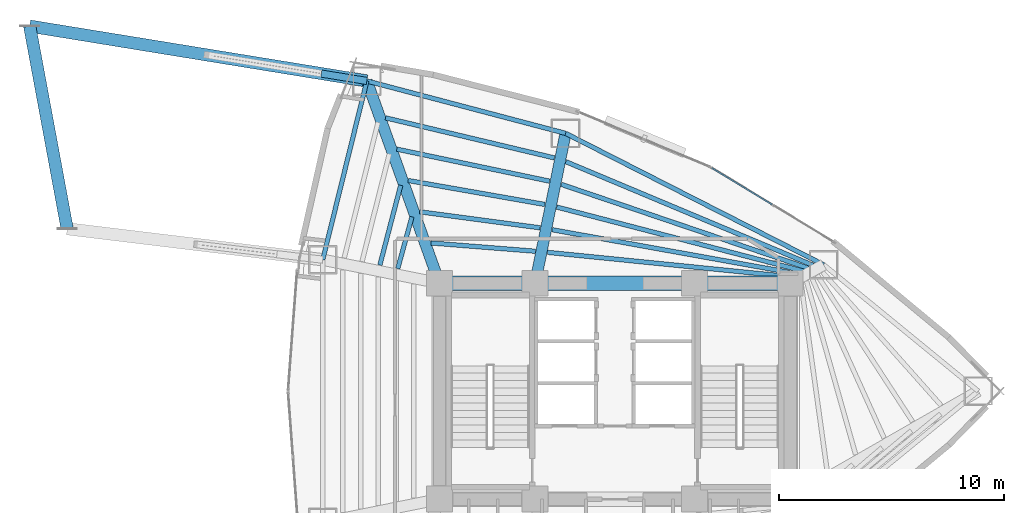
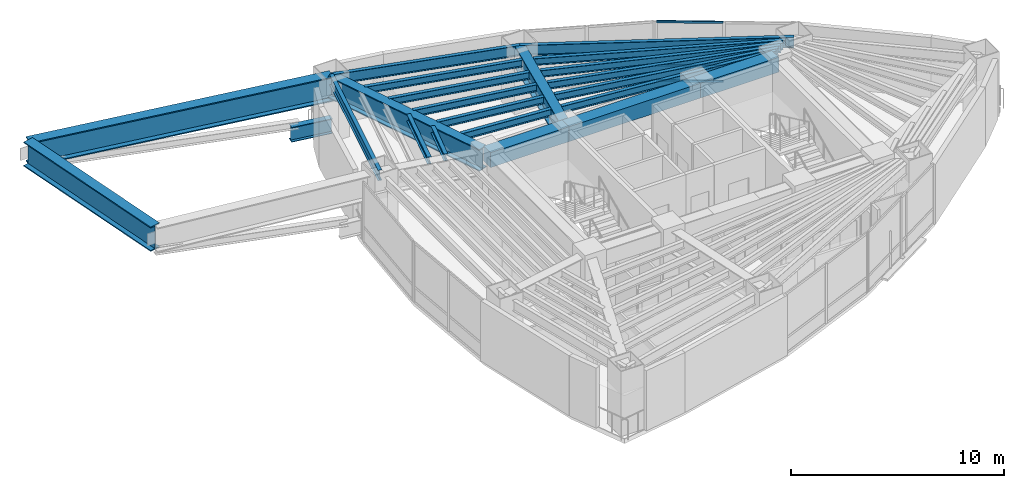
# One storey, part 7 of 17: 23 beams, 3 members, 1 element without a shape of its own.
"""IFC4 building model written with IfcOpenShell, lengths in metres."""

from ifc_helpers import new_model, si_unit, direction, frame, origin, origin_2d, place, context, subcontext, project, spatial, rectangle, hollow_rectangle, i_section, extrude, material, layer, layer_set, material_profile, profile_set, type_object, element, aggregate, save


model = new_model("IFC4")

# Units and contexts
model_context = context("Model", 3, precision=1e-05, world=origin(), true_north=direction((0.0, 1.0)))
body_context = subcontext(model_context, "Body", "Model", "MODEL_VIEW")
ifc_project = project(units=[si_unit("LENGTHUNIT", "METRE"), si_unit("AREAUNIT", "SQUARE_METRE"), si_unit("VOLUMEUNIT", "CUBIC_METRE"), si_unit("PLANEANGLEUNIT", "RADIAN"), si_unit("MASSUNIT", "GRAM", prefix="KILO")], contexts=[model_context])

# Site, building, storey
site_placement = place(None, origin())
site = spatial("IfcSite", under=ifc_project, at=site_placement, CompositionType="ELEMENT")
building_placement = place(site_placement, origin())
building = spatial("IfcBuilding", under=site, at=building_placement, Name="Menara Vayukalpa", CompositionType="ELEMENT")
storey_placement = place(building_placement, frame((0.0, 0.0, 100.260009765625)))
storey = spatial("IfcBuildingStorey", under=building, at=storey_placement, Name="L24", CompositionType="ELEMENT", Elevation=100.260009765625)

# Beams
ifc_material_1 = material(Name="Concrete C60/75", Category="concrete")
ifc_material_profile_1 = material_profile(ifc_material_1, rectangle(XDim=0.64990234375, YDim=0.85009765625, at=origin_2d()), Name="RC 650x850")
ifc_profile_set_1 = profile_set([ifc_material_profile_1], Name="Concrete C60/75")
beam_type_1 = type_object("IfcBeamType", Name="BM-CB1", PredefinedType="BEAM", material=ifc_profile_set_1)
beam_1_placement = place(storey_placement, frame((17.800048828125, 26.800048828125, 3.014892578125), z_axis=(1.0, 0.0, 0.0), x_axis=(0.0, 1.0, 0.0)))
element("IfcBeam", 1, at=beam_1_placement, inside=storey, type_object=beam_type_1, Name="L24 Core Tie Beam CBR4", PredefinedType="BEAM", context=body_context, shape_type="SweptSolid", body=[
    extrude(rectangle(XDim=0.64990234375, YDim=0.85009765625, at=origin_2d()), origin(), (0.0, 0.0, 1.0), 4.25),
])
beam_2_placement = place(storey_placement, frame((22.050048828125, 26.800048828125, 3.014892578125), z_axis=(1.0, 0.0, 0.0), x_axis=(0.0, 1.0, 0.0)))
element("IfcBeam", 2, at=beam_2_placement, inside=storey, type_object=beam_type_1, Name="L24 Core Tie Beam CBR5", PredefinedType="BEAM", context=body_context, shape_type="SweptSolid", body=[
    extrude(rectangle(XDim=0.64990234375, YDim=0.85009765625, at=origin_2d()), origin(), (0.0, 0.0, 1.0), 7.099853515625),
])
beam_3_placement = place(storey_placement, frame((29.14990234375, 26.800048828125, 3.014892578125), z_axis=(1.0, 0.0, 0.0), x_axis=(0.0, 1.0, 0.0)))
element("IfcBeam", 3, at=beam_3_placement, inside=storey, type_object=beam_type_1, Name="L24 Core Tie Beam CBR6", PredefinedType="BEAM", context=body_context, shape_type="SweptSolid", body=[
    extrude(rectangle(XDim=0.64990234375, YDim=0.85009765625, at=origin_2d()), origin(), (0.0, 0.0, 1.0), 4.25),
])
ifc_material_2 = material(Name="Steel S355", Category="steel")
ifc_material_profile_2 = material_profile(ifc_material_2, i_section(OverallWidth=0.320068359375, OverallDepth=0.85009765625, WebThickness=0.01611328125, FlangeThickness=0.030029296875, at=origin_2d()), Name="WF 850x320x16x30")
ifc_profile_set_2 = profile_set([ifc_material_profile_2], Name="Steel S355")
beam_type_2 = type_object("IfcBeamType", Name="BM-PG2E", PredefinedType="BEAM", material=ifc_profile_set_2)
beam_4_placement = place(storey_placement, frame((14.569091796875, 35.79736328125, 0.550048828125), z_axis=(-0.98701122254, 0.160651319885, 0.0), x_axis=(-0.160651319885, -0.98701122254, 0.0)))
element("IfcBeam", 4, at=beam_4_placement, inside=storey, type_object=beam_type_2, Name="L24 SB2 Exterior Outrigger Corbel Bracket 04", PredefinedType="BEAM", context=body_context, shape_type="SweptSolid", body=[
    extrude(i_section(OverallWidth=0.320068359375, OverallDepth=0.85009765625, WebThickness=0.01611328125, FlangeThickness=0.030029296875, at=origin_2d()), origin(), (0.0, 0.0, 1.0), 2.050048828125),
])
ifc_material_3 = material(Name="Steel S355", Category="steel")
ifc_material_profile_3 = material_profile(ifc_material_3, i_section(OverallWidth=0.199951171875, OverallDepth=0.39990234375, WebThickness=0.008056640625, FlangeThickness=0.012939453125, at=origin_2d()), Name="WF 400x200x8x13")
ifc_profile_set_3 = profile_set([ifc_material_profile_3], Name="Steel S355")
beam_type_3 = type_object("IfcBeamType", Name="BM-SJ2", PredefinedType="JOIST", material=ifc_profile_set_3)
beam_5_placement = place(storey_placement, frame((33.578369140625, 27.073974609375, 3.239990234375), z_axis=(-0.995013272717, 0.099742604322, 0.0), x_axis=(-0.099742604322, -0.995013272717, 0.0)))
element("IfcBeam", 5, at=beam_5_placement, inside=storey, type_object=beam_type_3, Name="L24 Secondary Floor Joist SJ02-1", PredefinedType="JOIST", context=body_context, shape_type="SweptSolid", body=[
    extrude(i_section(OverallWidth=0.199951171875, OverallDepth=0.39990234375, WebThickness=0.008056640625, FlangeThickness=0.012939453125, at=origin_2d()), origin(), (0.0, 0.0, 1.0), 11.029296875),
])
beam_6_placement = place(storey_placement, frame((33.7841796875, 27.20703125, 3.239990234375), z_axis=(-0.984204848425, 0.177033376335, 0.0), x_axis=(-0.177033376335, -0.984204848425, 0.0)))
element("IfcBeam", 6, at=beam_6_placement, inside=storey, type_object=beam_type_3, Name="L24 Secondary Floor Joist SJ02-2", PredefinedType="JOIST", context=body_context, shape_type="SweptSolid", body=[
    extrude(i_section(OverallWidth=0.199951171875, OverallDepth=0.39990234375, WebThickness=0.008056640625, FlangeThickness=0.012939453125, at=origin_2d()), origin(), (0.0, 0.0, 1.0), 11.149658203125),
])
beam_7_placement = place(storey_placement, frame((33.991455078125, 27.339111328125, 3.239990234375), z_axis=(-0.967917235079, 0.251269230184, 0.0), x_axis=(-0.251269230184, -0.967917235079, 0.0)))
element("IfcBeam", 7, at=beam_7_placement, inside=storey, type_object=beam_type_3, Name="L24 Secondary Floor Joist SJ02-3", PredefinedType="JOIST", context=body_context, shape_type="SweptSolid", body=[
    extrude(i_section(OverallWidth=0.199951171875, OverallDepth=0.39990234375, WebThickness=0.008056640625, FlangeThickness=0.012939453125, at=origin_2d()), origin(), (0.0, 0.0, 1.0), 11.33984375),
])
beam_8_placement = place(storey_placement, frame((34.199951171875, 27.47021484375, 3.239990234375), z_axis=(-0.946949183942, 0.321383327246, 0.0), x_axis=(-0.321383327246, -0.946949183942, 0.0)))
element("IfcBeam", 8, at=beam_8_placement, inside=storey, type_object=beam_type_3, Name="L24 Secondary Floor Joist SJ02-4", PredefinedType="JOIST", context=body_context, shape_type="SweptSolid", body=[
    extrude(i_section(OverallWidth=0.199951171875, OverallDepth=0.39990234375, WebThickness=0.008056640625, FlangeThickness=0.012939453125, at=origin_2d()), origin(), (0.0, 0.0, 1.0), 11.59619140625),
])
beam_9_placement = place(storey_placement, frame((34.40966796875, 27.60009765625, 3.239990234375), z_axis=(-0.922222903037, 0.386658657105, 0.0), x_axis=(-0.386658657105, -0.922222903037, 0.0)))
element("IfcBeam", 9, at=beam_9_placement, inside=storey, type_object=beam_type_3, Name="L24 Secondary Floor Joist SJ02-5", PredefinedType="JOIST", context=body_context, shape_type="SweptSolid", body=[
    extrude(i_section(OverallWidth=0.199951171875, OverallDepth=0.39990234375, WebThickness=0.008056640625, FlangeThickness=0.012939453125, at=origin_2d()), origin(), (0.0, 0.0, 1.0), 11.914794921875),
])
beam_10_placement = place(storey_placement, frame((22.066162109375, 28.222412109375, 3.239990234375), z_axis=(-0.9968693244, 0.079066744398, 0.0), x_axis=(-0.079066744398, -0.9968693244, 0.0)))
element("IfcBeam", 10, at=beam_10_placement, inside=storey, type_object=beam_type_3, Name="L24 Secondary Floor Joist SJ03-1", PredefinedType="JOIST", context=body_context, shape_type="SweptSolid", body=[
    extrude(i_section(OverallWidth=0.199951171875, OverallDepth=0.39990234375, WebThickness=0.008056640625, FlangeThickness=0.012939453125, at=origin_2d()), origin(), (0.0, 0.0, 1.0), 4.66259765625),
])
beam_11_placement = place(storey_placement, frame((22.277099609375, 29.264404296875, 3.239990234375), z_axis=(-0.991247591954, 0.132015951482, 0.0), x_axis=(-0.132015951482, -0.991247591954, 0.0)))
element("IfcBeam", 11, at=beam_11_placement, inside=storey, type_object=beam_type_3, Name="L24 Secondary Floor Joist SJ03-2", PredefinedType="JOIST", context=body_context, shape_type="SweptSolid", body=[
    extrude(i_section(OverallWidth=0.199951171875, OverallDepth=0.39990234375, WebThickness=0.008056640625, FlangeThickness=0.012939453125, at=origin_2d()), origin(), (0.0, 0.0, 1.0), 5.4111328125),
])
beam_12_placement = place(storey_placement, frame((22.488037109375, 30.302978515625, 3.239990234375), z_axis=(-0.984956670344, 0.17280149752, 0.0), x_axis=(-0.17280149752, -0.984956670344, 0.0)))
element("IfcBeam", 12, at=beam_12_placement, inside=storey, type_object=beam_type_3, Name="L24 Secondary Floor Joist SJ03-3", PredefinedType="JOIST", context=body_context, shape_type="SweptSolid", body=[
    extrude(i_section(OverallWidth=0.199951171875, OverallDepth=0.39990234375, WebThickness=0.008056640625, FlangeThickness=0.012939453125, at=origin_2d()), origin(), (0.0, 0.0, 1.0), 6.172607421875),
])
beam_13_placement = place(storey_placement, frame((22.69921875, 31.339111328125, 3.239990234375), z_axis=(-0.97875076474, 0.205053506483, 0.0), x_axis=(-0.205053506483, -0.97875076474, 0.0)))
element("IfcBeam", 13, at=beam_13_placement, inside=storey, type_object=beam_type_3, Name="L24 Secondary Floor Joist SJ03-4", PredefinedType="JOIST", context=body_context, shape_type="SweptSolid", body=[
    extrude(i_section(OverallWidth=0.199951171875, OverallDepth=0.39990234375, WebThickness=0.008056640625, FlangeThickness=0.012939453125, at=origin_2d()), origin(), (0.0, 0.0, 1.0), 6.943603515625),
])
beam_14_placement = place(storey_placement, frame((22.909912109375, 32.373779296875, 3.239990234375), z_axis=(-0.972939394316, 0.231060457432, 0.0), x_axis=(-0.231060457432, -0.972939394316, 0.0)))
element("IfcBeam", 14, at=beam_14_placement, inside=storey, type_object=beam_type_3, Name="L24 Secondary Floor Joist SJ03-5", PredefinedType="JOIST", context=body_context, shape_type="SweptSolid", body=[
    extrude(i_section(OverallWidth=0.199951171875, OverallDepth=0.39990234375, WebThickness=0.008056640625, FlangeThickness=0.012939453125, at=origin_2d()), origin(), (0.0, 0.0, 1.0), 7.720703125),
])
beam_15_placement = place(storey_placement, frame((16.574462890625, 29.75390625, 3.239990234375), z_axis=(-0.263938385798, -0.964539542218, 0.0), x_axis=(0.964539542218, -0.263938385798, 0.0)))
element("IfcBeam", 15, at=beam_15_placement, inside=storey, type_object=beam_type_3, Name="L24 Secondary Floor Joist SJ04-2", PredefinedType="JOIST", context=body_context, shape_type="SweptSolid", body=[
    extrude(i_section(OverallWidth=0.199951171875, OverallDepth=0.39990234375, WebThickness=0.008056640625, FlangeThickness=0.012939453125, at=origin_2d()), origin(), (0.0, 0.0, 1.0), 2.39013671875),
])
beam_16_placement = place(storey_placement, frame((16.07421875, 31.155029296875, 3.239990234375), z_axis=(-0.252476133107, -0.967603122262, 0.0), x_axis=(0.967603122262, -0.252476133107, 0.0)))
element("IfcBeam", 16, at=beam_16_placement, inside=storey, type_object=beam_type_3, Name="L24 Secondary Floor Joist SJ04-3", PredefinedType="JOIST", context=body_context, shape_type="SweptSolid", body=[
    extrude(i_section(OverallWidth=0.199951171875, OverallDepth=0.39990234375, WebThickness=0.008056640625, FlangeThickness=0.012939453125, at=origin_2d()), origin(), (0.0, 0.0, 1.0), 3.664794921875),
])
ifc_material_4 = material(Name="Steel S355", Category="steel")
ifc_material_profile_4 = material_profile(ifc_material_4, i_section(OverallWidth=0.199951171875, OverallDepth=0.60009765625, WebThickness=0.010986328125, FlangeThickness=0.01708984375, at=origin_2d()), Name="WF 600x200x11x17")
ifc_profile_set_4 = profile_set([ifc_material_profile_4], Name="Steel S355")
beam_type_4 = type_object("IfcBeamType", Name="BM-SP1", PredefinedType="SPANDREL", material=ifc_profile_set_4)
beam_17_placement = place(storey_placement, frame((34.88671875, 27.62158203125, 3.139892578125), z_axis=(-0.891097345221, 0.453812209333, 0.0), x_axis=(-0.453812209333, -0.891097345221, 0.0)))
element("IfcBeam", 17, at=beam_17_placement, inside=storey, type_object=beam_type_4, Name="L24 Perimeter Spandrel Beam SP02", PredefinedType="SPANDREL", context=body_context, shape_type="SweptSolid", body=[
    extrude(i_section(OverallWidth=0.199951171875, OverallDepth=0.60009765625, WebThickness=0.010986328125, FlangeThickness=0.01708984375, at=origin_2d()), origin(), (0.0, 0.0, 1.0), 12.88134765625),
])
beam_18_placement = place(storey_placement, frame((23.408203125, 33.46728515625, 3.139892578125), z_axis=(-0.966966857313, 0.254902131921, 0.0), x_axis=(-0.254902131921, -0.966966857313, 0.0)))
element("IfcBeam", 18, at=beam_18_placement, inside=storey, type_object=beam_type_4, Name="L24 Perimeter Spandrel Beam SP03", PredefinedType="SPANDREL", context=body_context, shape_type="SweptSolid", body=[
    extrude(i_section(OverallWidth=0.199951171875, OverallDepth=0.60009765625, WebThickness=0.010986328125, FlangeThickness=0.01708984375, at=origin_2d()), origin(), (0.0, 0.0, 1.0), 9.14111328125),
])
beam_19_placement = place(storey_placement, frame((14.569091796875, 35.79736328125, 3.139892578125), z_axis=(-0.239602739234, -0.970871014786, 0.0), x_axis=(0.970871014786, -0.239602739234, 0.0)))
element("IfcBeam", 19, at=beam_19_placement, inside=storey, type_object=beam_type_4, Name="L24 Perimeter Spandrel Beam SP04", PredefinedType="SPANDREL", context=body_context, shape_type="SweptSolid", body=[
    extrude(i_section(OverallWidth=0.199951171875, OverallDepth=0.60009765625, WebThickness=0.010986328125, FlangeThickness=0.01708984375, at=origin_2d()), origin(), (0.0, 0.0, 1.0), 8.190185546875),
])
ifc_material_5 = material(Name="Steel S460", Category="steel")
ifc_material_profile_5 = material_profile(ifc_material_5, i_section(OverallWidth=0.550048828125, OverallDepth=1.39990234375, WebThickness=0.031982421875, FlangeThickness=0.06005859375, at=origin_2d()), Name="WG 1400x550x32x60")
ifc_profile_set_5 = profile_set([ifc_material_profile_5], Name="Steel S460")
beam_type_5 = type_object("IfcBeamType", Name="BM-TG1", PredefinedType="BEAM", material=ifc_profile_set_5)
beam_20_placement = place(storey_placement, frame((-0.4287109375, 38.2373046875, 2.739990234375), z_axis=(0.182027272378, -0.983293482187, 0.0), x_axis=(0.983293482187, 0.182027272378, 0.0)))
element("IfcBeam", 20, at=beam_20_placement, inside=storey, type_object=beam_type_5, Name="L24 SB2 Support Edge Transfer Beam 1", PredefinedType="BEAM", context=body_context, shape_type="SweptSolid", body=[
    extrude(i_section(OverallWidth=0.550048828125, OverallDepth=1.39990234375, WebThickness=0.031982421875, FlangeThickness=0.06005859375, at=origin_2d()), origin(), (0.0, 0.0, 1.0), 9.167236328125),
])
ifc_material_6 = material(Name="Steel S460", Category="steel")
ifc_material_profile_6 = material_profile(ifc_material_6, i_section(OverallWidth=0.550048828125, OverallDepth=1.39990234375, WebThickness=0.031982421875, FlangeThickness=0.06005859375, at=origin_2d()), Name="WG 1400x550x32x60")
ifc_profile_set_6 = profile_set([ifc_material_profile_6], Name="Steel S460")
beam_type_6 = type_object("IfcBeamType", Name="BM-TG1E", PredefinedType="BEAM", material=ifc_profile_set_6)
beam_21_placement = place(storey_placement, frame((14.569091796875, 35.79736328125, 2.739990234375), z_axis=(-0.987023560608, 0.160575498766, 0.0), x_axis=(-0.160575498766, -0.987023560608, 0.0)))
element("IfcBeam", 21, at=beam_21_placement, inside=storey, type_object=beam_type_6, Name="L24 SB2 Cantilever Support Transfer Girder 04", PredefinedType="BEAM", context=body_context, shape_type="SweptSolid", body=[
    extrude(i_section(OverallWidth=0.550048828125, OverallDepth=1.39990234375, WebThickness=0.031982421875, FlangeThickness=0.06005859375, at=origin_2d()), origin(), (0.0, 0.0, 1.0), 15.195068359375),
])
ifc_material_7 = material(Name="Steel S460", Category="steel")
ifc_material_profile_7 = material_profile(ifc_material_7, i_section(OverallWidth=0.5, OverallDepth=1.25, WebThickness=0.028076171875, FlangeThickness=0.054931640625, at=origin_2d()), Name="WG 1250x500x28x55")
ifc_profile_set_7 = profile_set([ifc_material_profile_7], Name="Steel S460")
beam_type_7 = type_object("IfcBeamType", Name="BM-TG2", PredefinedType="BEAM", material=ifc_profile_set_7)
beam_22_placement = place(storey_placement, frame((22.099853515625, 27.044921875, 2.81494140625), z_axis=(0.199617728418, 0.9798738503, 0.0), x_axis=(-0.9798738503, 0.199617728418, 0.0)))
element("IfcBeam", 22, at=beam_22_placement, inside=storey, type_object=beam_type_7, Name="L24 Primary Radial Girder RG03", PredefinedType="BEAM", context=body_context, shape_type="SweptSolid", body=[
    extrude(i_section(OverallWidth=0.5, OverallDepth=1.25, WebThickness=0.028076171875, FlangeThickness=0.054931640625, at=origin_2d()), origin(), (0.0, 0.0, 1.0), 6.55419921875),
])
beam_23_placement = place(storey_placement, frame((17.715576171875, 27.035400390625, 2.81494140625), z_axis=(-0.337975542909, 0.941154892882, 0.0), x_axis=(-0.941154892882, -0.337975542909, 0.0)))
element("IfcBeam", 23, at=beam_23_placement, inside=storey, type_object=beam_type_7, Name="L24 Primary Radial Girder RG04", PredefinedType="BEAM", context=body_context, shape_type="SweptSolid", body=[
    extrude(i_section(OverallWidth=0.5, OverallDepth=1.25, WebThickness=0.028076171875, FlangeThickness=0.054931640625, at=origin_2d()), origin(), (0.0, 0.0, 1.0), 9.309814453125),
])

# Curtain wall, members
ifc_material_8 = material(Name="Anodised Terracotta Aluminium Alloy 6063-T6", Category="masonry")
ifc_layer = layer(ifc_material_8, 0.14990234375)
ifc_layer_set = layer_set([ifc_layer], Name="Anodised Terracotta Aluminium Alloy 6063-T6")
curtain_wall_type = type_object("IfcCurtainWallType", Name="CW-CW3", PredefinedType="USERDEFINED", material=ifc_layer_set)
curtain_wall_placement = place(storey_placement, origin())
curtain_wall = element("IfcCurtainWall", 24, at=curtain_wall_placement, inside=storey, type_object=curtain_wall_type, Name="L24 Mid Rise Terracotta Ribbon Curtain Wall CW3 04", ObjectType="UNITISED", PredefinedType="USERDEFINED")
ifc_material_9 = material(Name="Anodised Terracotta Aluminium Alloy 6063-T6", Category="masonry")
ifc_material_profile_8 = material_profile(ifc_material_9, hollow_rectangle(XDim=0.06494140625, YDim=0.1201171875, WallThickness=0.00341796875, at=origin_2d()), Name="ALU 65x120x3.5")
ifc_profile_set_8 = profile_set([ifc_material_profile_8], Name="Anodised Terracotta Aluminium Alloy 6063-T6")
member_type = type_object("IfcMemberType", Name="CWT-CW3", PredefinedType="USERDEFINED", material=ifc_profile_set_8)
member_1_placement = place(storey_placement, frame((32.59814453125, 30.29541015625, 0.032470703125), z_axis=(-0.854673871166, 0.519165266506, 0.0), x_axis=(-0.519165266506, -0.854673871166, 0.0)))
member_1 = element("IfcMember", 25, at=member_1_placement, type_object=member_type, Name="CW3 transom 2.1", ObjectType="TRANSOM", PredefinedType="USERDEFINED", context=body_context, shape_type="SweptSolid", body=[
    extrude(hollow_rectangle(XDim=0.06494140625, YDim=0.1201171875, WallThickness=0.00341796875, at=origin_2d()), origin(), (0.0, 0.0, 1.0), 3.1318359375),
])
member_2_placement = place(storey_placement, frame((32.59814453125, 30.29541015625, 0.89990234375), z_axis=(-0.854673871166, 0.519165266506, 0.0), x_axis=(-0.519165266506, -0.854673871166, 0.0)))
member_2 = element("IfcMember", 26, at=member_2_placement, type_object=member_type, Name="CW3 transom 2.2", ObjectType="TRANSOM", PredefinedType="USERDEFINED", context=body_context, shape_type="SweptSolid", body=[
    extrude(hollow_rectangle(XDim=0.06494140625, YDim=0.1201171875, WallThickness=0.00341796875, at=origin_2d()), origin(), (0.0, 0.0, 1.0), 3.1318359375),
])
member_3_placement = place(storey_placement, frame((32.59814453125, 30.29541015625, 3.407470703125), z_axis=(-0.854673871166, 0.519165266506, 0.0), x_axis=(-0.519165266506, -0.854673871166, 0.0)))
member_3 = element("IfcMember", 27, at=member_3_placement, type_object=member_type, Name="CW3 transom 2.3", ObjectType="TRANSOM", PredefinedType="USERDEFINED", context=body_context, shape_type="SweptSolid", body=[
    extrude(hollow_rectangle(XDim=0.06494140625, YDim=0.1201171875, WallThickness=0.00341796875, at=origin_2d()), origin(), (0.0, 0.0, 1.0), 3.1318359375),
])
aggregate(curtain_wall, [member_1, member_2, member_3])

save(model, "model.ifc")
